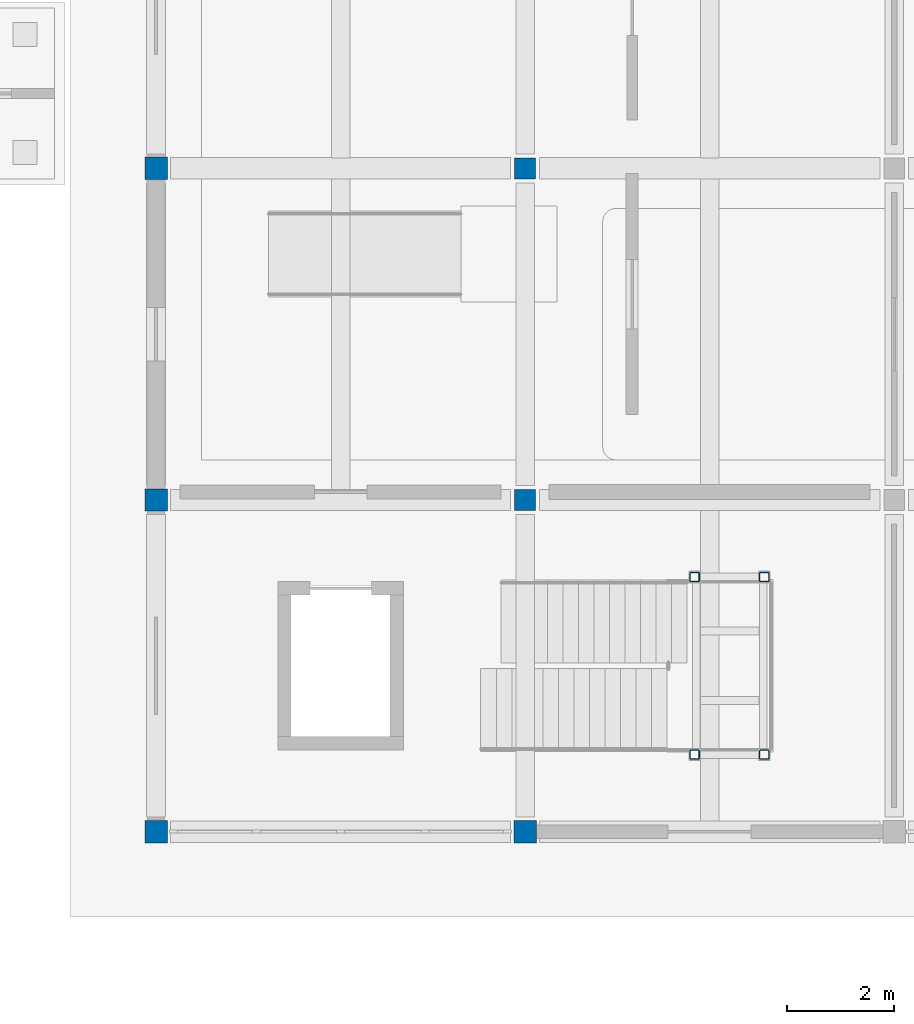
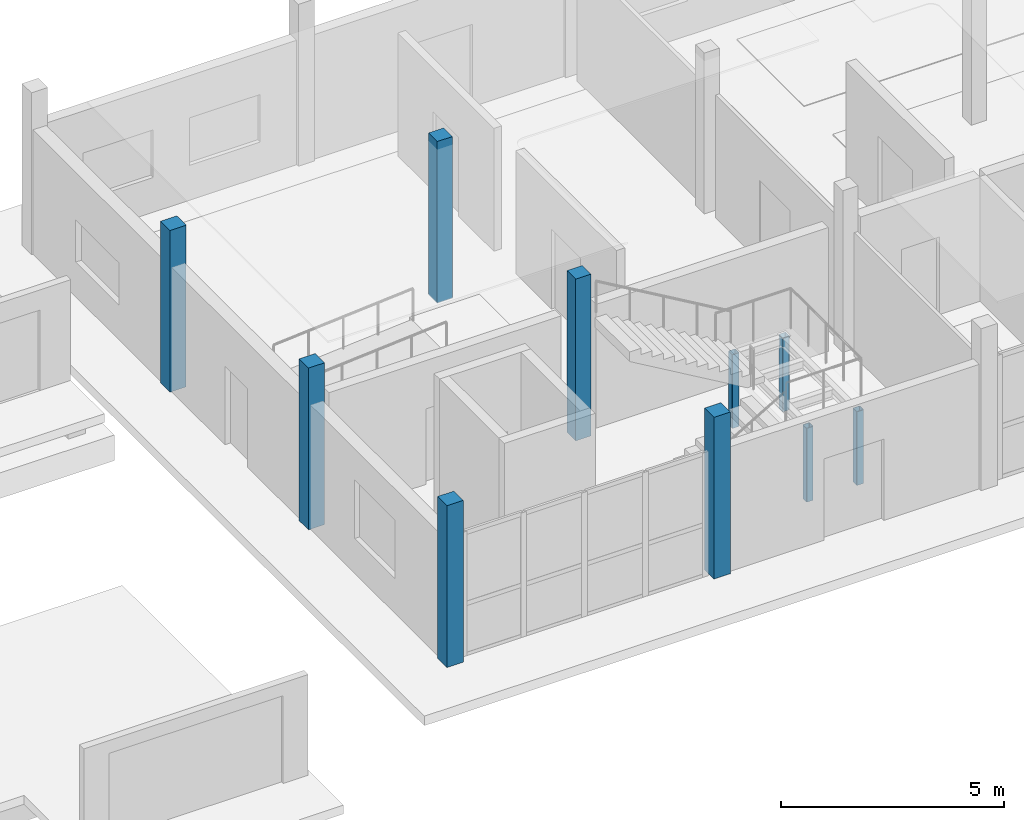
# One storey, part 10 of 92: 10 columns.
"""IFC4 building model written with IfcOpenShell, lengths in metres."""

from ifc_helpers import new_model, si_unit, direction, frame, origin, origin_2d, place, context, subcontext, project, spatial, rectangle, hollow_rectangle, extrude, material, material_profile, profile_set, type_object, element, save


model = new_model("IFC4")

# Units and contexts
model_context = context("Model", 3, precision=1e-05, world=origin(), true_north=direction((0.0, 1.0)))
body_context = subcontext(model_context, "Body", "Model", "MODEL_VIEW")
ifc_project = project(units=[si_unit("LENGTHUNIT", "METRE"), si_unit("AREAUNIT", "SQUARE_METRE"), si_unit("VOLUMEUNIT", "CUBIC_METRE"), si_unit("PLANEANGLEUNIT", "RADIAN"), si_unit("MASSUNIT", "GRAM", prefix="KILO")], contexts=[model_context])

# Site, building, storey
site_placement = place(None, origin())
site = spatial("IfcSite", under=ifc_project, at=site_placement, CompositionType="ELEMENT")
building_placement = place(site_placement, origin())
building = spatial("IfcBuilding", under=site, at=building_placement, Name="Caldaven Crescent School", CompositionType="ELEMENT")
storey_placement = place(building_placement, origin())
storey = spatial("IfcBuildingStorey", under=building, at=storey_placement, Name="L00", CompositionType="ELEMENT", Elevation=0.0)

# Columns
ifc_material_1 = material(Name="Glulam MLE24h (GL28h)", Category="wood")
ifc_material_profile_1 = material_profile(ifc_material_1, rectangle(XDim=0.389892578125, YDim=0.389892578125, at=origin_2d()), Name="MLE 390x390")
ifc_profile_set_1 = profile_set([ifc_material_profile_1], Name="Glulam MLE24h (GL28h)")
column_type_1 = type_object("IfcColumnType", Name="COL-GL39", PredefinedType="COLUMN", material=ifc_profile_set_1)
for number, where, z_axis, x_axis, name in (
    (1, (129.800048828125, 10.39990234375, 0.0), (0.0, 0.0, 1.0), (1.0, 0.0, 0.0), "COL-V3-L00-1-1"),
    (2, (129.800048828125, 16.60009765625, 0.0), (0.0, 0.0, 1.0), (1.0, 0.0, 0.0), "COL-V3-L00-1-2"),
):
    element("IfcColumn", number, at=place(storey_placement, frame(where, z_axis=z_axis, x_axis=x_axis)), inside=storey, type_object=column_type_1, Name=name, PredefinedType="COLUMN", context=body_context, shape_type="SweptSolid", body=[
        extrude(rectangle(XDim=0.389892578125, YDim=0.389892578125, at=origin_2d()), origin(), (0.0, 0.0, 1.0), 4.419921875),
    ])
ifc_material_profile_2 = material_profile(ifc_material_1, rectangle(XDim=0.419921875, YDim=0.419921875, at=origin_2d()), Name="MLE 420x420")
ifc_profile_set_2 = profile_set([ifc_material_profile_2], Name="Glulam MLE24h (GL28h)")
column_type_2 = type_object("IfcColumnType", Name="COL-GL42", PredefinedType="COLUMN", material=ifc_profile_set_2)
for number, where, z_axis, x_axis, name in (
    (3, (122.89990234375, 4.199951171875, 0.0), (0.0, 0.0, 1.0), (1.0, 0.0, 0.0), "COL-V3-L00-0-0"),
    (4, (122.89990234375, 10.39990234375, 0.0), (0.0, 0.0, 1.0), (1.0, 0.0, 0.0), "COL-V3-L00-0-1"),
    (5, (122.89990234375, 16.60009765625, 0.0), (0.0, 0.0, 1.0), (1.0, 0.0, 0.0), "COL-V3-L00-0-2"),
    (6, (129.800048828125, 4.199951171875, 0.0), (0.0, 0.0, 1.0), (1.0, 0.0, 0.0), "COL-V3-L00-1-0"),
):
    element("IfcColumn", number, at=place(storey_placement, frame(where, z_axis=z_axis, x_axis=x_axis)), inside=storey, type_object=column_type_2, Name=name, PredefinedType="COLUMN", context=body_context, shape_type="SweptSolid", body=[
        extrude(rectangle(XDim=0.419921875, YDim=0.419921875, at=origin_2d()), origin(), (0.0, 0.0, 1.0), 4.419921875),
    ])
ifc_material_2 = material(Name="Steel ASTM A572 Grade 50", Category="steel")
ifc_material_profile_3 = material_profile(ifc_material_2, hollow_rectangle(XDim=0.179931640625, YDim=0.179931640625, WallThickness=0.010009765625, InnerFilletRadius=0.010009765625, OuterFilletRadius=0.02001953125, at=origin_2d()), Name="HSS 180x180x10")
ifc_profile_set_3 = profile_set([ifc_material_profile_3], Name="Steel ASTM A572 Grade 50")
column_type_3 = type_object("IfcColumnType", Name="COL-HS18", PredefinedType="COLUMN", material=ifc_profile_set_3)
for number, where, z_axis, x_axis, name in (
    (7, (132.969970703125, 5.639892578125, 0.0), (0.0, 0.0, 1.0), (1.0, 0.0, 0.0), "COL-STPOST-STV3-L00-A"),
    (8, (132.969970703125, 8.9599609375, 0.0), (0.0, 0.0, 1.0), (1.0, 0.0, 0.0), "COL-STPOST-STV3-L00-B"),
    (9, (134.27001953125, 5.639892578125, 0.0), (0.0, 0.0, 1.0), (1.0, 0.0, 0.0), "COL-STPOST-STV3-L00-C"),
    (10, (134.27001953125, 8.9599609375, 0.0), (0.0, 0.0, 1.0), (1.0, 0.0, 0.0), "COL-STPOST-STV3-L00-D"),
):
    element("IfcColumn", number, at=place(storey_placement, frame(where, z_axis=z_axis, x_axis=x_axis)), inside=storey, type_object=column_type_3, Name=name, PredefinedType="COLUMN", context=body_context, shape_type="SweptSolid", body=[
        extrude(hollow_rectangle(XDim=0.179931640625, YDim=0.179931640625, WallThickness=0.010009765625, InnerFilletRadius=0.010009765625, OuterFilletRadius=0.02001953125, at=origin_2d()), origin(), (0.0, 0.0, 1.0), 2.014892578125),
    ])

save(model, "model.ifc")
